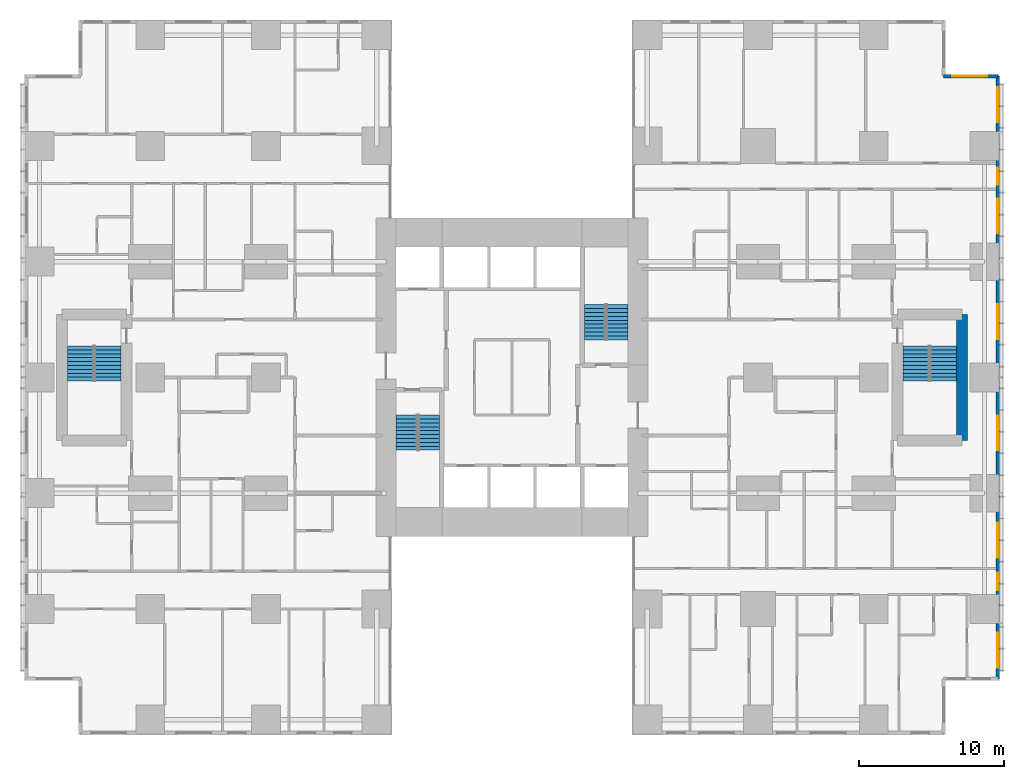
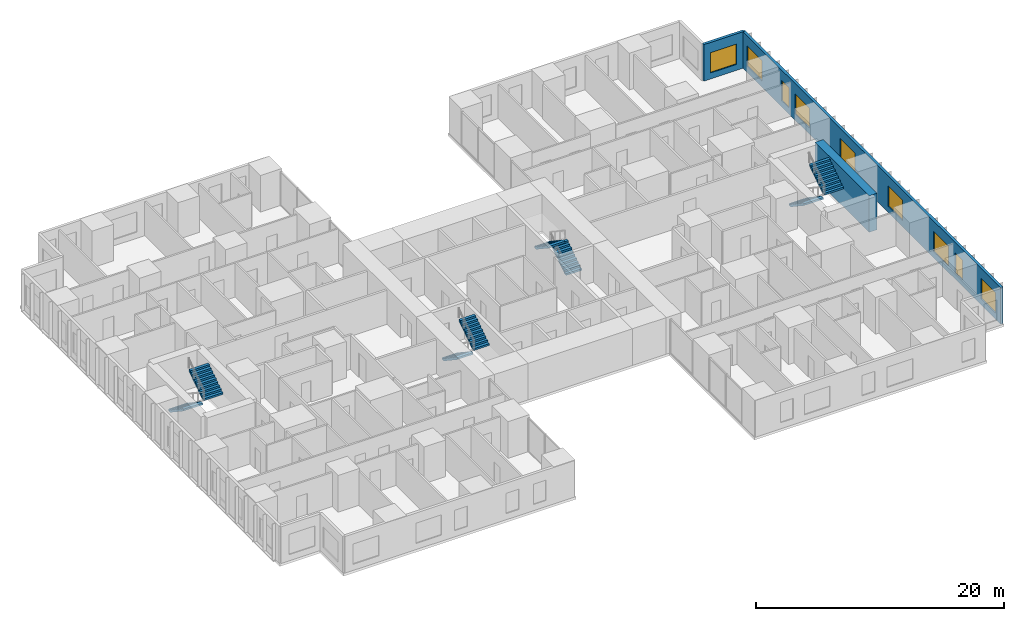
# One storey, part 19 of 20: 9 windows, 8 stair flights, 3 walls, 9 openings, 4 elements without a shape of their own.
"""IFC4 building model written with IfcOpenShell, lengths in metres."""

from ifc_helpers import new_model, si_unit, direction, frame, frame_2d, origin, place, context, subcontext, project, spatial, polyline, rectangle, outline, extrude, material, layer, layer_set, type_object, element, fill, aggregate, save


model = new_model("IFC4")

# Units and contexts
model_context = context("Model", 3, precision=1e-05, world=origin(), true_north=direction((0.0, 1.0)))
body_context = subcontext(model_context, "Body", "Model", "MODEL_VIEW")
ifc_project = project(units=[si_unit("LENGTHUNIT", "METRE"), si_unit("AREAUNIT", "SQUARE_METRE"), si_unit("VOLUMEUNIT", "CUBIC_METRE"), si_unit("PLANEANGLEUNIT", "RADIAN"), si_unit("MASSUNIT", "GRAM", prefix="KILO")], contexts=[model_context])

# Site, building, storey
site_placement = place(None, origin())
site = spatial("IfcSite", under=ifc_project, at=site_placement, CompositionType="ELEMENT")
building_placement = place(site_placement, origin())
building = spatial("IfcBuilding", under=site, at=building_placement, Name="Cleftline Residences", CompositionType="ELEMENT")
storey_placement = place(building_placement, frame((0.0, 0.0, 54.800048828125)))
storey = spatial("IfcBuildingStorey", under=building, at=storey_placement, Name="L13", CompositionType="ELEMENT", Elevation=54.800048828125)

# Wall, openings, windows
ifc_material_1 = material(Name="Rendered reinforced concrete blockwork", Category="masonry")
ifc_layer_1 = layer(ifc_material_1, 0.25)
ifc_layer_set_1 = layer_set([ifc_layer_1], Name="EXTERNAL WALL 250")
wall_type_1 = type_object("IfcWallType", Name="EXTERNAL WALL 250", PredefinedType="SOLIDWALL", material=ifc_layer_set_1)
wall_1_placement = place(storey_placement, frame((66.574951171875, 3.175048828125, 0.0), z_axis=(0.0, 0.0, 1.0), x_axis=(0.0, 1.0, 0.0)))
wall_1 = element("IfcWall", 1, at=wall_1_placement, inside=storey, type_object=wall_type_1, Name="External wall", PredefinedType="SOLIDWALL", context=body_context, shape_type="SweptSolid", body=[
    extrude(rectangle(XDim=41.64990234375, YDim=0.25, at=frame_2d((20.824951171875, 0.0))), origin(), (0.0, 0.0, 1.0), 3.599853515625),
])
opening_1_placement = place(wall_1_placement, frame((0.77490234375, 0.0, 0.60009765625)))
opening_1 = element("IfcOpeningElement", 2, at=opening_1_placement, cuts=wall_1, Name="Opening W6", PredefinedType="OPENING", context=body_context, shape_type="SweptSolid", body=[
    extrude(rectangle(XDim=2.39990234375, YDim=2.0, at=frame_2d((1.199951171875, 1.0))), frame((0.0, 0.135009765625, 0.0), z_axis=(0.0, -1.0, 0.0), x_axis=(1.0, 0.0, 0.0)), (0.0, 0.0, 1.0), 0.27001953125),
])
opening_2_placement = place(wall_1_placement, frame((6.125, 0.0, 0.60009765625)))
opening_2 = element("IfcOpeningElement", 3, at=opening_2_placement, cuts=wall_1, Name="Opening W8", PredefinedType="OPENING", context=body_context, shape_type="SweptSolid", body=[
    extrude(rectangle(XDim=1.199951171875, YDim=2.0, at=frame_2d((0.60009765625, 1.0))), frame((0.0, 0.135009765625, 0.0), z_axis=(0.0, -1.0, 0.0), x_axis=(1.0, 0.0, 0.0)), (0.0, 0.0, 1.0), 0.27001953125),
])
opening_3_placement = place(wall_1_placement, frame((8.375, 0.0, 0.60009765625)))
opening_3 = element("IfcOpeningElement", 4, at=opening_3_placement, cuts=wall_1, Name="Opening W6", PredefinedType="OPENING", context=body_context, shape_type="SweptSolid", body=[
    extrude(rectangle(XDim=2.39990234375, YDim=2.0, at=frame_2d((1.199951171875, 1.0))), frame((0.0, 0.135009765625, 0.0), z_axis=(0.0, -1.0, 0.0), x_axis=(1.0, 0.0, 0.0)), (0.0, 0.0, 1.0), 0.27001953125),
])
opening_4_placement = place(wall_1_placement, frame((15.77490234375, 0.0, 0.60009765625)))
opening_4 = element("IfcOpeningElement", 5, at=opening_4_placement, cuts=wall_1, Name="Opening W6", PredefinedType="OPENING", context=body_context, shape_type="SweptSolid", body=[
    extrude(rectangle(XDim=2.39990234375, YDim=2.0, at=frame_2d((1.199951171875, 1.0))), frame((0.0, 0.135009765625, 0.0), z_axis=(0.0, -1.0, 0.0), x_axis=(1.0, 0.0, 0.0)), (0.0, 0.0, 1.0), 0.27001953125),
])
opening_5_placement = place(wall_1_placement, frame((23.47509765625, 0.0, 0.60009765625)))
opening_5 = element("IfcOpeningElement", 6, at=opening_5_placement, cuts=wall_1, Name="Opening W6", PredefinedType="OPENING", context=body_context, shape_type="SweptSolid", body=[
    extrude(rectangle(XDim=2.39990234375, YDim=2.0, at=frame_2d((1.199951171875, 1.0))), frame((0.0, 0.135009765625, 0.0), z_axis=(0.0, -1.0, 0.0), x_axis=(1.0, 0.0, 0.0)), (0.0, 0.0, 1.0), 0.27001953125),
])
opening_6_placement = place(wall_1_placement, frame((30.77490234375, 0.0, 0.60009765625)))
opening_6 = element("IfcOpeningElement", 7, at=opening_6_placement, cuts=wall_1, Name="Opening W6", PredefinedType="OPENING", context=body_context, shape_type="SweptSolid", body=[
    extrude(rectangle(XDim=2.39990234375, YDim=2.0, at=frame_2d((1.199951171875, 1.0))), frame((0.0, 0.135009765625, 0.0), z_axis=(0.0, -1.0, 0.0), x_axis=(1.0, 0.0, 0.0)), (0.0, 0.0, 1.0), 0.27001953125),
])
opening_7_placement = place(wall_1_placement, frame((34.125, 0.0, 0.60009765625)))
opening_7 = element("IfcOpeningElement", 8, at=opening_7_placement, cuts=wall_1, Name="Opening W8", PredefinedType="OPENING", context=body_context, shape_type="SweptSolid", body=[
    extrude(rectangle(XDim=1.199951171875, YDim=2.0, at=frame_2d((0.60009765625, 1.0))), frame((0.0, 0.135009765625, 0.0), z_axis=(0.0, -1.0, 0.0), x_axis=(1.0, 0.0, 0.0)), (0.0, 0.0, 1.0), 0.27001953125),
])
opening_8_placement = place(wall_1_placement, frame((38.47509765625, 0.0, 0.60009765625)))
opening_8 = element("IfcOpeningElement", 9, at=opening_8_placement, cuts=wall_1, Name="Opening W6", PredefinedType="OPENING", context=body_context, shape_type="SweptSolid", body=[
    extrude(rectangle(XDim=2.39990234375, YDim=2.0, at=frame_2d((1.199951171875, 1.0))), frame((0.0, 0.135009765625, 0.0), z_axis=(0.0, -1.0, 0.0), x_axis=(1.0, 0.0, 0.0)), (0.0, 0.0, 1.0), 0.27001953125),
])
ifc_material_2 = material(Name="Aluminium frame, clear double glazing", Category="aluminium")
window_type_1 = type_object("IfcWindowType", Name="WINDOW 1200X2000", PartitioningType="DOUBLE_PANEL_VERTICAL", PredefinedType="WINDOW", material=ifc_material_2)
window_1_placement = place(opening_2_placement, origin())
window_1 = element("IfcWindow", 10, at=window_1_placement, inside=storey, type_object=window_type_1, Name="Window", OverallHeight=2.0, OverallWidth=1.199951171875, PartitioningType="SINGLE_PANEL", PredefinedType="WINDOW", context=body_context, shape_type="SweptSolid", body=[
    extrude(rectangle(XDim=1.199951171875, YDim=2.0, at=frame_2d((0.60009765625, 1.0))), frame((0.0, 0.030029296875, 0.0), z_axis=(0.0, -1.0, 0.0), x_axis=(1.0, 0.0, 0.0)), (0.0, 0.0, 1.0), 0.06005859375),
])
fill(opening_2, window_1)
window_2_placement = place(opening_7_placement, origin())
window_2 = element("IfcWindow", 11, at=window_2_placement, inside=storey, type_object=window_type_1, Name="Window", OverallHeight=2.0, OverallWidth=1.199951171875, PartitioningType="SINGLE_PANEL", PredefinedType="WINDOW", context=body_context, shape_type="SweptSolid", body=[
    extrude(rectangle(XDim=1.199951171875, YDim=2.0, at=frame_2d((0.60009765625, 1.0))), frame((0.0, 0.030029296875, 0.0), z_axis=(0.0, -1.0, 0.0), x_axis=(1.0, 0.0, 0.0)), (0.0, 0.0, 1.0), 0.06005859375),
])
fill(opening_7, window_2)
ifc_material_3 = material(Name="Aluminium frame, clear double glazing", Category="aluminium")
window_type_2 = type_object("IfcWindowType", Name="WINDOW 2400X2000", PartitioningType="DOUBLE_PANEL_VERTICAL", PredefinedType="WINDOW", material=ifc_material_3)
window_3_placement = place(opening_1_placement, origin())
window_3 = element("IfcWindow", 12, at=window_3_placement, inside=storey, type_object=window_type_2, Name="Window", OverallHeight=2.0, OverallWidth=2.39990234375, PartitioningType="SINGLE_PANEL", PredefinedType="WINDOW", context=body_context, shape_type="SweptSolid", body=[
    extrude(rectangle(XDim=2.39990234375, YDim=2.0, at=frame_2d((1.199951171875, 1.0))), frame((0.0, 0.030029296875, 0.0), z_axis=(0.0, -1.0, 0.0), x_axis=(1.0, 0.0, 0.0)), (0.0, 0.0, 1.0), 0.06005859375),
])
fill(opening_1, window_3)
window_4_placement = place(opening_3_placement, origin())
window_4 = element("IfcWindow", 13, at=window_4_placement, inside=storey, type_object=window_type_2, Name="Window", OverallHeight=2.0, OverallWidth=2.39990234375, PartitioningType="SINGLE_PANEL", PredefinedType="WINDOW", context=body_context, shape_type="SweptSolid", body=[
    extrude(rectangle(XDim=2.39990234375, YDim=2.0, at=frame_2d((1.199951171875, 1.0))), frame((0.0, 0.030029296875, 0.0), z_axis=(0.0, -1.0, 0.0), x_axis=(1.0, 0.0, 0.0)), (0.0, 0.0, 1.0), 0.06005859375),
])
fill(opening_3, window_4)
window_5_placement = place(opening_4_placement, origin())
window_5 = element("IfcWindow", 14, at=window_5_placement, inside=storey, type_object=window_type_2, Name="Window", OverallHeight=2.0, OverallWidth=2.39990234375, PartitioningType="SINGLE_PANEL", PredefinedType="WINDOW", context=body_context, shape_type="SweptSolid", body=[
    extrude(rectangle(XDim=2.39990234375, YDim=2.0, at=frame_2d((1.199951171875, 1.0))), frame((0.0, 0.030029296875, 0.0), z_axis=(0.0, -1.0, 0.0), x_axis=(1.0, 0.0, 0.0)), (0.0, 0.0, 1.0), 0.06005859375),
])
fill(opening_4, window_5)
window_6_placement = place(opening_5_placement, origin())
window_6 = element("IfcWindow", 15, at=window_6_placement, inside=storey, type_object=window_type_2, Name="Window", OverallHeight=2.0, OverallWidth=2.39990234375, PartitioningType="SINGLE_PANEL", PredefinedType="WINDOW", context=body_context, shape_type="SweptSolid", body=[
    extrude(rectangle(XDim=2.39990234375, YDim=2.0, at=frame_2d((1.199951171875, 1.0))), frame((0.0, 0.030029296875, 0.0), z_axis=(0.0, -1.0, 0.0), x_axis=(1.0, 0.0, 0.0)), (0.0, 0.0, 1.0), 0.06005859375),
])
fill(opening_5, window_6)
window_7_placement = place(opening_6_placement, origin())
window_7 = element("IfcWindow", 16, at=window_7_placement, inside=storey, type_object=window_type_2, Name="Window", OverallHeight=2.0, OverallWidth=2.39990234375, PartitioningType="SINGLE_PANEL", PredefinedType="WINDOW", context=body_context, shape_type="SweptSolid", body=[
    extrude(rectangle(XDim=2.39990234375, YDim=2.0, at=frame_2d((1.199951171875, 1.0))), frame((0.0, 0.030029296875, 0.0), z_axis=(0.0, -1.0, 0.0), x_axis=(1.0, 0.0, 0.0)), (0.0, 0.0, 1.0), 0.06005859375),
])
fill(opening_6, window_7)
window_8_placement = place(opening_8_placement, origin())
window_8 = element("IfcWindow", 17, at=window_8_placement, inside=storey, type_object=window_type_2, Name="Window", OverallHeight=2.0, OverallWidth=2.39990234375, PartitioningType="SINGLE_PANEL", PredefinedType="WINDOW", context=body_context, shape_type="SweptSolid", body=[
    extrude(rectangle(XDim=2.39990234375, YDim=2.0, at=frame_2d((1.199951171875, 1.0))), frame((0.0, 0.030029296875, 0.0), z_axis=(0.0, -1.0, 0.0), x_axis=(1.0, 0.0, 0.0)), (0.0, 0.0, 1.0), 0.06005859375),
])
fill(opening_8, window_8)

# Wall, opening, window
wall_2_placement = place(storey_placement, frame((66.574951171875, 44.824951171875, 0.0), z_axis=(0.0, 0.0, 1.0), x_axis=(-1.0, 0.0, 0.0)))
wall_2 = element("IfcWall", 18, at=wall_2_placement, inside=storey, type_object=wall_type_1, Name="External wall", PredefinedType="SOLIDWALL", context=body_context, shape_type="SweptSolid", body=[
    extrude(rectangle(XDim=3.75, YDim=0.25, at=frame_2d((1.875, 0.0))), origin(), (0.0, 0.0, 1.0), 3.599853515625),
])
opening_9_placement = place(wall_2_placement, frame((0.737548828125, 0.0, 0.60009765625)))
opening_9 = element("IfcOpeningElement", 19, at=opening_9_placement, cuts=wall_2, Name="Opening W6", PredefinedType="OPENING", context=body_context, shape_type="SweptSolid", body=[
    extrude(rectangle(XDim=2.39990234375, YDim=2.0, at=frame_2d((1.199951171875, 1.0))), frame((0.0, 0.135009765625, 0.0), z_axis=(0.0, -1.0, 0.0), x_axis=(1.0, 0.0, 0.0)), (0.0, 0.0, 1.0), 0.27001953125),
])
window_9_placement = place(opening_9_placement, origin())
window_9 = element("IfcWindow", 20, at=window_9_placement, inside=storey, type_object=window_type_2, Name="Window", OverallHeight=2.0, OverallWidth=2.39990234375, PartitioningType="SINGLE_PANEL", PredefinedType="WINDOW", context=body_context, shape_type="SweptSolid", body=[
    extrude(rectangle(XDim=2.39990234375, YDim=2.0, at=frame_2d((1.199951171875, 1.0))), frame((0.0, 0.030029296875, 0.0), z_axis=(0.0, -1.0, 0.0), x_axis=(1.0, 0.0, 0.0)), (0.0, 0.0, 1.0), 0.06005859375),
])
fill(opening_9, window_9)

# Wall
ifc_material_4 = material(Name="Concrete B70", Category="concrete")
ifc_layer_2 = layer(ifc_material_4, 0.75)
ifc_layer_set_2 = layer_set([ifc_layer_2], Name="SHEAR WALL 750")
wall_type_2 = type_object("IfcWallType", Name="SHEAR WALL 750", PredefinedType="SHEAR", material=ifc_layer_set_2)
wall_3_placement = place(storey_placement, frame((64.10009765625, 19.64990234375, 0.0), z_axis=(0.0, 0.0, 1.0), x_axis=(0.0, 1.0, 0.0)))
element("IfcWall", 21, at=wall_3_placement, inside=storey, type_object=wall_type_2, Name="Wing shear wall", PredefinedType="SHEAR", context=body_context, shape_type="SweptSolid", body=[
    extrude(rectangle(XDim=8.7001953125, YDim=0.75, at=frame_2d((4.35009765625, 0.0))), origin(), (0.0, 0.0, 1.0), 3.599853515625),
])

# Stair, stair flights
ifc_material_5 = material(Name="Concrete B45, stone treads", Category="masonry")
stair_type_1 = type_object("IfcStairType", Name="STAIR A 1450 WIDE 180 RISER", PredefinedType="HALF_TURN_STAIR", material=ifc_material_5)
stair_1_placement = place(storey_placement, origin())
stair_1 = element("IfcStair", 22, at=stair_1_placement, inside=storey, type_object=stair_type_1, Name="Stair A L13", PredefinedType="HALF_TURN_STAIR")
ifc_material_6 = material(Name="Concrete B45", Category="concrete")
stair_flight_type_1 = type_object("IfcStairFlightType", Name="STAIR A FLIGHT 1450X180", PredefinedType="STRAIGHT", material=ifc_material_6)
stair_flight_1_placement = place(storey_placement, frame((25.72509765625, 21.39990234375, 0.0), z_axis=(0.0, 0.0, 1.0), x_axis=(0.0, -1.0, 0.0)))
stair_flight_1 = element("IfcStairFlight", 23, at=stair_flight_1_placement, type_object=stair_flight_type_1, Name="ST-A flight 1", NumberOfRisers=10, NumberOfTreads=9, PredefinedType="STRAIGHT", RiserHeight=0.18, TreadLength=0.27, context=body_context, shape_type="SweptSolid", body=[
    extrude(outline(polyline([(0.0, 0.0), (0.0, 0.013916015625), (0.0, 0.027587890625), (0.0, 0.04150390625), (0.0, 0.055419921875), (0.0, 0.0693359375), (0.0, 0.0830078125), (0.0, 0.096923828125), (0.0, 0.11083984375), (0.0, 0.12451171875), (0.0, 0.138427734375), (0.0, 0.15234375), (0.0, 0.166259765625), (0.0, 0.179931640625), (0.27001953125, 0.179931640625), (0.27001953125, 0.360107421875), (0.5400390625, 0.360107421875), (0.5400390625, 0.5400390625), (0.81005859375, 0.5400390625), (0.81005859375, 0.719970703125), (1.080078125, 0.719970703125), (1.080078125, 0.89990234375), (1.35009765625, 0.89990234375), (1.35009765625, 1.080078125), (1.6201171875, 1.080078125), (1.6201171875, 1.260009765625), (1.889892578125, 1.260009765625), (1.889892578125, 1.43994140625), (2.159912109375, 1.43994140625), (2.159912109375, 1.6201171875), (2.429931640625, 1.6201171875), (2.429931640625, 1.800048828125), (2.429931640625, 1.772216796875), (2.429931640625, 1.74462890625), (2.429931640625, 1.716796875), (2.429931640625, 1.689208984375), (2.429931640625, 1.661376953125), (2.429931640625, 1.6337890625), (2.429931640625, 1.60595703125), (2.429931640625, 1.578369140625), (2.429931640625, 1.550537109375), (2.429931640625, 1.52294921875), (2.429931640625, 1.495361328125), (2.429931640625, 1.467529296875), (2.429931640625, 1.43994140625), (0.270263671875, 0.0), (0.0, 0.0)])), frame((0.0, 0.72509765625, 0.0), z_axis=(0.0, -1.0, 0.0), x_axis=(1.0, 0.0, 0.0)), (0.0, 0.0, 1.0), 1.449951171875),
])
stair_flight_2_placement = place(storey_placement, frame((27.27490234375, 18.969970703125, 1.800048828125), z_axis=(0.0, 0.0, 1.0), x_axis=(0.0, 1.0, 0.0)))
stair_flight_2 = element("IfcStairFlight", 24, at=stair_flight_2_placement, type_object=stair_flight_type_1, Name="ST-A flight 2", NumberOfRisers=10, NumberOfTreads=9, PredefinedType="STRAIGHT", RiserHeight=0.18, TreadLength=0.27, context=body_context, shape_type="SweptSolid", body=[
    extrude(outline(polyline([(0.0, 0.0), (0.0, 0.013916015625), (0.0, 0.027587890625), (0.0, 0.04150390625), (0.0, 0.055419921875), (0.0, 0.0693359375), (0.0, 0.0830078125), (0.0, 0.096923828125), (0.0, 0.11083984375), (0.0, 0.12451171875), (0.0, 0.138427734375), (0.0, 0.15234375), (0.0, 0.166259765625), (0.0, 0.179931640625), (0.27001953125, 0.179931640625), (0.27001953125, 0.360107421875), (0.5400390625, 0.360107421875), (0.5400390625, 0.5400390625), (0.81005859375, 0.5400390625), (0.81005859375, 0.719970703125), (1.080078125, 0.719970703125), (1.080078125, 0.89990234375), (1.35009765625, 0.89990234375), (1.35009765625, 1.080078125), (1.6201171875, 1.080078125), (1.6201171875, 1.260009765625), (1.889892578125, 1.260009765625), (1.889892578125, 1.43994140625), (2.159912109375, 1.43994140625), (2.159912109375, 1.6201171875), (2.429931640625, 1.6201171875), (2.429931640625, 1.800048828125), (2.429931640625, 1.772216796875), (2.429931640625, 1.74462890625), (2.429931640625, 1.716796875), (2.429931640625, 1.689208984375), (2.429931640625, 1.661376953125), (2.429931640625, 1.6337890625), (2.429931640625, 1.60595703125), (2.429931640625, 1.578369140625), (2.429931640625, 1.550537109375), (2.429931640625, 1.52294921875), (2.429931640625, 1.495361328125), (2.429931640625, 1.467529296875), (2.429931640625, 1.43994140625), (0.270263671875, 0.0), (0.0, 0.0)])), frame((0.0, 0.72509765625, 0.0), z_axis=(0.0, -1.0, 0.0), x_axis=(1.0, 0.0, 0.0)), (0.0, 0.0, 1.0), 1.449951171875),
])
aggregate(stair_1, [stair_flight_1, stair_flight_2])

ifc_material_7 = material(Name="Concrete B45, stone treads", Category="masonry")
stair_type_2 = type_object("IfcStairType", Name="STAIR B 1450 WIDE 180 RISER", PredefinedType="HALF_TURN_STAIR", material=ifc_material_7)
stair_2_placement = place(storey_placement, origin())
stair_2 = element("IfcStair", 25, at=stair_2_placement, inside=storey, type_object=stair_type_2, Name="Stair B L13", PredefinedType="HALF_TURN_STAIR")
ifc_material_8 = material(Name="Concrete B45", Category="concrete")
stair_flight_type_2 = type_object("IfcStairFlightType", Name="STAIR B FLIGHT 1450X180", PredefinedType="STRAIGHT", material=ifc_material_8)
stair_flight_3_placement = place(storey_placement, frame((40.27490234375, 26.60009765625, 0.0), z_axis=(0.0, 0.0, 1.0), x_axis=(0.0, 1.0, 0.0)))
stair_flight_3 = element("IfcStairFlight", 26, at=stair_flight_3_placement, type_object=stair_flight_type_2, Name="ST-B flight 1", NumberOfRisers=10, NumberOfTreads=9, PredefinedType="STRAIGHT", RiserHeight=0.18, TreadLength=0.27, context=body_context, shape_type="SweptSolid", body=[
    extrude(outline(polyline([(0.0, 0.0), (0.0, 0.013916015625), (0.0, 0.027587890625), (0.0, 0.04150390625), (0.0, 0.055419921875), (0.0, 0.0693359375), (0.0, 0.0830078125), (0.0, 0.096923828125), (0.0, 0.11083984375), (0.0, 0.12451171875), (0.0, 0.138427734375), (0.0, 0.15234375), (0.0, 0.166259765625), (0.0, 0.179931640625), (0.27001953125, 0.179931640625), (0.27001953125, 0.360107421875), (0.5400390625, 0.360107421875), (0.5400390625, 0.5400390625), (0.81005859375, 0.5400390625), (0.81005859375, 0.719970703125), (1.080078125, 0.719970703125), (1.080078125, 0.89990234375), (1.35009765625, 0.89990234375), (1.35009765625, 1.080078125), (1.6201171875, 1.080078125), (1.6201171875, 1.260009765625), (1.889892578125, 1.260009765625), (1.889892578125, 1.43994140625), (2.159912109375, 1.43994140625), (2.159912109375, 1.6201171875), (2.429931640625, 1.6201171875), (2.429931640625, 1.800048828125), (2.429931640625, 1.772216796875), (2.429931640625, 1.74462890625), (2.429931640625, 1.716796875), (2.429931640625, 1.689208984375), (2.429931640625, 1.661376953125), (2.429931640625, 1.6337890625), (2.429931640625, 1.60595703125), (2.429931640625, 1.578369140625), (2.429931640625, 1.550537109375), (2.429931640625, 1.52294921875), (2.429931640625, 1.495361328125), (2.429931640625, 1.467529296875), (2.429931640625, 1.43994140625), (0.270263671875, 0.0), (0.0, 0.0)])), frame((0.0, 0.72509765625, 0.0), z_axis=(0.0, -1.0, 0.0), x_axis=(1.0, 0.0, 0.0)), (0.0, 0.0, 1.0), 1.449951171875),
])
stair_flight_4_placement = place(storey_placement, frame((38.72509765625, 29.030029296875, 1.800048828125), z_axis=(0.0, 0.0, 1.0), x_axis=(0.0, -1.0, 0.0)))
stair_flight_4 = element("IfcStairFlight", 27, at=stair_flight_4_placement, type_object=stair_flight_type_2, Name="ST-B flight 2", NumberOfRisers=10, NumberOfTreads=9, PredefinedType="STRAIGHT", RiserHeight=0.18, TreadLength=0.27, context=body_context, shape_type="SweptSolid", body=[
    extrude(outline(polyline([(0.0, 0.0), (0.0, 0.013916015625), (0.0, 0.027587890625), (0.0, 0.04150390625), (0.0, 0.055419921875), (0.0, 0.0693359375), (0.0, 0.0830078125), (0.0, 0.096923828125), (0.0, 0.11083984375), (0.0, 0.12451171875), (0.0, 0.138427734375), (0.0, 0.15234375), (0.0, 0.166259765625), (0.0, 0.179931640625), (0.27001953125, 0.179931640625), (0.27001953125, 0.360107421875), (0.5400390625, 0.360107421875), (0.5400390625, 0.5400390625), (0.81005859375, 0.5400390625), (0.81005859375, 0.719970703125), (1.080078125, 0.719970703125), (1.080078125, 0.89990234375), (1.35009765625, 0.89990234375), (1.35009765625, 1.080078125), (1.6201171875, 1.080078125), (1.6201171875, 1.260009765625), (1.889892578125, 1.260009765625), (1.889892578125, 1.43994140625), (2.159912109375, 1.43994140625), (2.159912109375, 1.6201171875), (2.429931640625, 1.6201171875), (2.429931640625, 1.800048828125), (2.429931640625, 1.772216796875), (2.429931640625, 1.74462890625), (2.429931640625, 1.716796875), (2.429931640625, 1.689208984375), (2.429931640625, 1.661376953125), (2.429931640625, 1.6337890625), (2.429931640625, 1.60595703125), (2.429931640625, 1.578369140625), (2.429931640625, 1.550537109375), (2.429931640625, 1.52294921875), (2.429931640625, 1.495361328125), (2.429931640625, 1.467529296875), (2.429931640625, 1.43994140625), (0.270263671875, 0.0), (0.0, 0.0)])), frame((0.0, 0.72509765625, 0.0), z_axis=(0.0, -1.0, 0.0), x_axis=(1.0, 0.0, 0.0)), (0.0, 0.0, 1.0), 1.449951171875),
])
aggregate(stair_2, [stair_flight_3, stair_flight_4])

ifc_material_9 = material(Name="Concrete B45, stone treads", Category="masonry")
stair_type_3 = type_object("IfcStairType", Name="STAIR E 1800 WIDE 180 RISER", PredefinedType="HALF_TURN_STAIR", material=ifc_material_9)
stair_3_placement = place(storey_placement, origin())
stair_3 = element("IfcStair", 28, at=stair_3_placement, inside=storey, type_object=stair_type_3, Name="Stair E L13", PredefinedType="HALF_TURN_STAIR")
ifc_material_10 = material(Name="Concrete B45", Category="concrete")
stair_flight_type_3 = type_object("IfcStairFlightType", Name="STAIR E FLIGHT 1800X180", PredefinedType="STRAIGHT", material=ifc_material_10)
stair_flight_5_placement = place(storey_placement, frame((60.925048828125, 26.175048828125, 0.0), z_axis=(0.0, 0.0, 1.0), x_axis=(0.0, -1.0, 0.0)))
stair_flight_5 = element("IfcStairFlight", 29, at=stair_flight_5_placement, type_object=stair_flight_type_3, Name="ST-E flight 1", NumberOfRisers=10, NumberOfTreads=9, PredefinedType="STRAIGHT", RiserHeight=0.18, TreadLength=0.27, context=body_context, shape_type="SweptSolid", body=[
    extrude(outline(polyline([(0.0, 0.0), (0.0, 0.013916015625), (0.0, 0.027587890625), (0.0, 0.04150390625), (0.0, 0.055419921875), (0.0, 0.0693359375), (0.0, 0.0830078125), (0.0, 0.096923828125), (0.0, 0.11083984375), (0.0, 0.12451171875), (0.0, 0.138427734375), (0.0, 0.15234375), (0.0, 0.166259765625), (0.0, 0.179931640625), (0.27001953125, 0.179931640625), (0.27001953125, 0.360107421875), (0.5400390625, 0.360107421875), (0.5400390625, 0.5400390625), (0.81005859375, 0.5400390625), (0.81005859375, 0.719970703125), (1.080078125, 0.719970703125), (1.080078125, 0.89990234375), (1.35009765625, 0.89990234375), (1.35009765625, 1.080078125), (1.6201171875, 1.080078125), (1.6201171875, 1.260009765625), (1.889892578125, 1.260009765625), (1.889892578125, 1.43994140625), (2.159912109375, 1.43994140625), (2.159912109375, 1.6201171875), (2.429931640625, 1.6201171875), (2.429931640625, 1.800048828125), (2.429931640625, 1.772216796875), (2.429931640625, 1.74462890625), (2.429931640625, 1.716796875), (2.429931640625, 1.689208984375), (2.429931640625, 1.661376953125), (2.429931640625, 1.6337890625), (2.429931640625, 1.60595703125), (2.429931640625, 1.578369140625), (2.429931640625, 1.550537109375), (2.429931640625, 1.52294921875), (2.429931640625, 1.495361328125), (2.429931640625, 1.467529296875), (2.429931640625, 1.43994140625), (0.270263671875, 0.0), (0.0, 0.0)])), frame((0.0, 0.89990234375, 0.0), z_axis=(0.0, -1.0, 0.0), x_axis=(1.0, 0.0, 0.0)), (0.0, 0.0, 1.0), 1.800048828125),
])
stair_flight_6_placement = place(storey_placement, frame((62.824951171875, 23.7451171875, 1.800048828125), z_axis=(0.0, 0.0, 1.0), x_axis=(0.0, 1.0, 0.0)))
stair_flight_6 = element("IfcStairFlight", 30, at=stair_flight_6_placement, type_object=stair_flight_type_3, Name="ST-E flight 2", NumberOfRisers=10, NumberOfTreads=9, PredefinedType="STRAIGHT", RiserHeight=0.18, TreadLength=0.27, context=body_context, shape_type="SweptSolid", body=[
    extrude(outline(polyline([(0.0, 0.0), (0.0, 0.013916015625), (0.0, 0.027587890625), (0.0, 0.04150390625), (0.0, 0.055419921875), (0.0, 0.0693359375), (0.0, 0.0830078125), (0.0, 0.096923828125), (0.0, 0.11083984375), (0.0, 0.12451171875), (0.0, 0.138427734375), (0.0, 0.15234375), (0.0, 0.166259765625), (0.0, 0.179931640625), (0.27001953125, 0.179931640625), (0.27001953125, 0.360107421875), (0.5400390625, 0.360107421875), (0.5400390625, 0.5400390625), (0.81005859375, 0.5400390625), (0.81005859375, 0.719970703125), (1.080078125, 0.719970703125), (1.080078125, 0.89990234375), (1.35009765625, 0.89990234375), (1.35009765625, 1.080078125), (1.6201171875, 1.080078125), (1.6201171875, 1.260009765625), (1.889892578125, 1.260009765625), (1.889892578125, 1.43994140625), (2.159912109375, 1.43994140625), (2.159912109375, 1.6201171875), (2.429931640625, 1.6201171875), (2.429931640625, 1.800048828125), (2.429931640625, 1.772216796875), (2.429931640625, 1.74462890625), (2.429931640625, 1.716796875), (2.429931640625, 1.689208984375), (2.429931640625, 1.661376953125), (2.429931640625, 1.6337890625), (2.429931640625, 1.60595703125), (2.429931640625, 1.578369140625), (2.429931640625, 1.550537109375), (2.429931640625, 1.52294921875), (2.429931640625, 1.495361328125), (2.429931640625, 1.467529296875), (2.429931640625, 1.43994140625), (0.270263671875, 0.0), (0.0, 0.0)])), frame((0.0, 0.89990234375, 0.0), z_axis=(0.0, -1.0, 0.0), x_axis=(1.0, 0.0, 0.0)), (0.0, 0.0, 1.0), 1.800048828125),
])
aggregate(stair_3, [stair_flight_5, stair_flight_6])

ifc_material_11 = material(Name="Concrete B45, stone treads", Category="masonry")
stair_type_4 = type_object("IfcStairType", Name="STAIR W 1800 WIDE 180 RISER", PredefinedType="HALF_TURN_STAIR", material=ifc_material_11)
stair_4_placement = place(storey_placement, origin())
stair_4 = element("IfcStair", 31, at=stair_4_placement, inside=storey, type_object=stair_type_4, Name="Stair W L13", PredefinedType="HALF_TURN_STAIR")
ifc_material_12 = material(Name="Concrete B45", Category="concrete")
stair_flight_type_4 = type_object("IfcStairFlightType", Name="STAIR W FLIGHT 1800X180", PredefinedType="STRAIGHT", material=ifc_material_12)
stair_flight_7_placement = place(storey_placement, frame((3.175048828125, 26.175048828125, 0.0), z_axis=(0.0, 0.0, 1.0), x_axis=(0.0, -1.0, 0.0)))
stair_flight_7 = element("IfcStairFlight", 32, at=stair_flight_7_placement, type_object=stair_flight_type_4, Name="ST-W flight 1", NumberOfRisers=10, NumberOfTreads=9, PredefinedType="STRAIGHT", RiserHeight=0.18, TreadLength=0.27, context=body_context, shape_type="SweptSolid", body=[
    extrude(outline(polyline([(0.0, 0.0), (0.0, 0.013916015625), (0.0, 0.027587890625), (0.0, 0.04150390625), (0.0, 0.055419921875), (0.0, 0.0693359375), (0.0, 0.0830078125), (0.0, 0.096923828125), (0.0, 0.11083984375), (0.0, 0.12451171875), (0.0, 0.138427734375), (0.0, 0.15234375), (0.0, 0.166259765625), (0.0, 0.179931640625), (0.27001953125, 0.179931640625), (0.27001953125, 0.360107421875), (0.5400390625, 0.360107421875), (0.5400390625, 0.5400390625), (0.81005859375, 0.5400390625), (0.81005859375, 0.719970703125), (1.080078125, 0.719970703125), (1.080078125, 0.89990234375), (1.35009765625, 0.89990234375), (1.35009765625, 1.080078125), (1.6201171875, 1.080078125), (1.6201171875, 1.260009765625), (1.889892578125, 1.260009765625), (1.889892578125, 1.43994140625), (2.159912109375, 1.43994140625), (2.159912109375, 1.6201171875), (2.429931640625, 1.6201171875), (2.429931640625, 1.800048828125), (2.429931640625, 1.772216796875), (2.429931640625, 1.74462890625), (2.429931640625, 1.716796875), (2.429931640625, 1.689208984375), (2.429931640625, 1.661376953125), (2.429931640625, 1.6337890625), (2.429931640625, 1.60595703125), (2.429931640625, 1.578369140625), (2.429931640625, 1.550537109375), (2.429931640625, 1.52294921875), (2.429931640625, 1.495361328125), (2.429931640625, 1.467529296875), (2.429931640625, 1.43994140625), (0.270263671875, 0.0), (0.0, 0.0)])), frame((0.0, 0.89990234375, 0.0), z_axis=(0.0, -1.0, 0.0), x_axis=(1.0, 0.0, 0.0)), (0.0, 0.0, 1.0), 1.800048828125),
])
stair_flight_8_placement = place(storey_placement, frame((5.074951171875, 23.7451171875, 1.800048828125), z_axis=(0.0, 0.0, 1.0), x_axis=(0.0, 1.0, 0.0)))
stair_flight_8 = element("IfcStairFlight", 33, at=stair_flight_8_placement, type_object=stair_flight_type_4, Name="ST-W flight 2", NumberOfRisers=10, NumberOfTreads=9, PredefinedType="STRAIGHT", RiserHeight=0.18, TreadLength=0.27, context=body_context, shape_type="SweptSolid", body=[
    extrude(outline(polyline([(0.0, 0.0), (0.0, 0.013916015625), (0.0, 0.027587890625), (0.0, 0.04150390625), (0.0, 0.055419921875), (0.0, 0.0693359375), (0.0, 0.0830078125), (0.0, 0.096923828125), (0.0, 0.11083984375), (0.0, 0.12451171875), (0.0, 0.138427734375), (0.0, 0.15234375), (0.0, 0.166259765625), (0.0, 0.179931640625), (0.27001953125, 0.179931640625), (0.27001953125, 0.360107421875), (0.5400390625, 0.360107421875), (0.5400390625, 0.5400390625), (0.81005859375, 0.5400390625), (0.81005859375, 0.719970703125), (1.080078125, 0.719970703125), (1.080078125, 0.89990234375), (1.35009765625, 0.89990234375), (1.35009765625, 1.080078125), (1.6201171875, 1.080078125), (1.6201171875, 1.260009765625), (1.889892578125, 1.260009765625), (1.889892578125, 1.43994140625), (2.159912109375, 1.43994140625), (2.159912109375, 1.6201171875), (2.429931640625, 1.6201171875), (2.429931640625, 1.800048828125), (2.429931640625, 1.772216796875), (2.429931640625, 1.74462890625), (2.429931640625, 1.716796875), (2.429931640625, 1.689208984375), (2.429931640625, 1.661376953125), (2.429931640625, 1.6337890625), (2.429931640625, 1.60595703125), (2.429931640625, 1.578369140625), (2.429931640625, 1.550537109375), (2.429931640625, 1.52294921875), (2.429931640625, 1.495361328125), (2.429931640625, 1.467529296875), (2.429931640625, 1.43994140625), (0.270263671875, 0.0), (0.0, 0.0)])), frame((0.0, 0.89990234375, 0.0), z_axis=(0.0, -1.0, 0.0), x_axis=(1.0, 0.0, 0.0)), (0.0, 0.0, 1.0), 1.800048828125),
])
aggregate(stair_4, [stair_flight_7, stair_flight_8])

save(model, "model.ifc")
